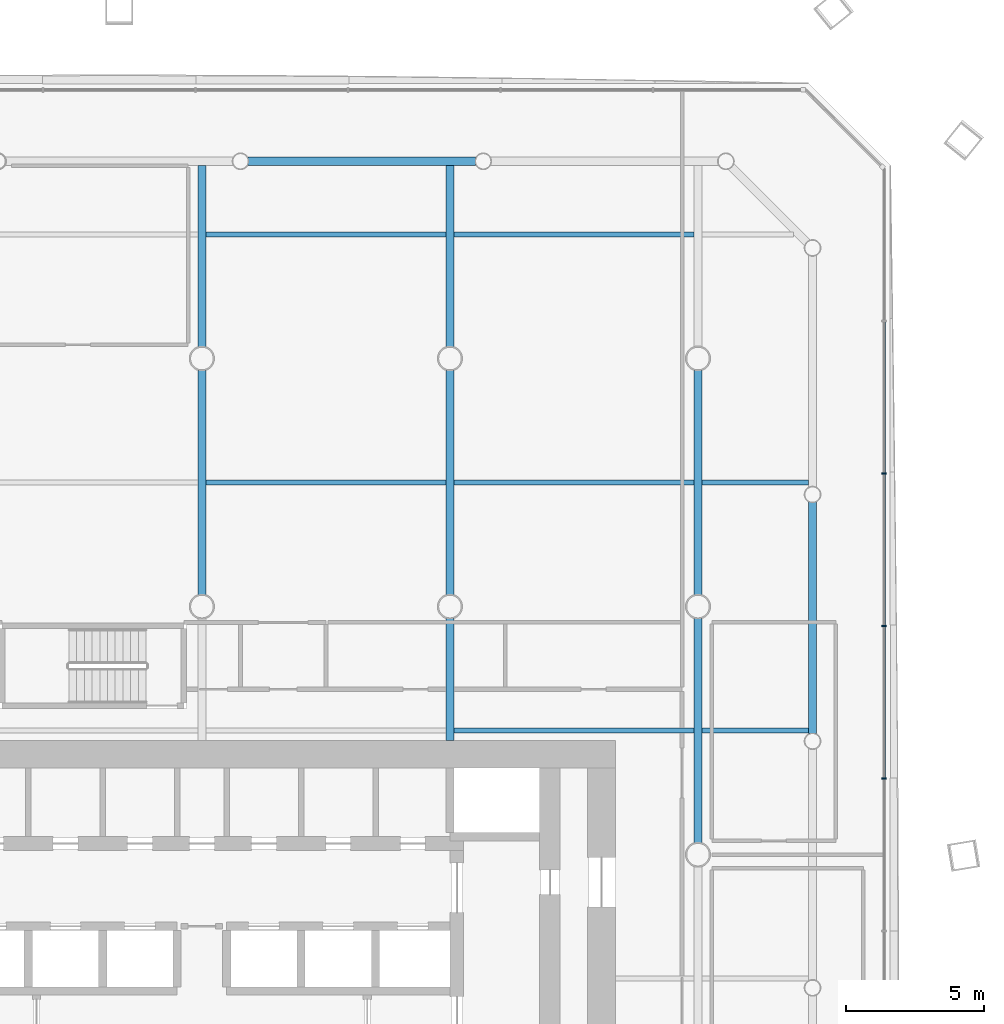
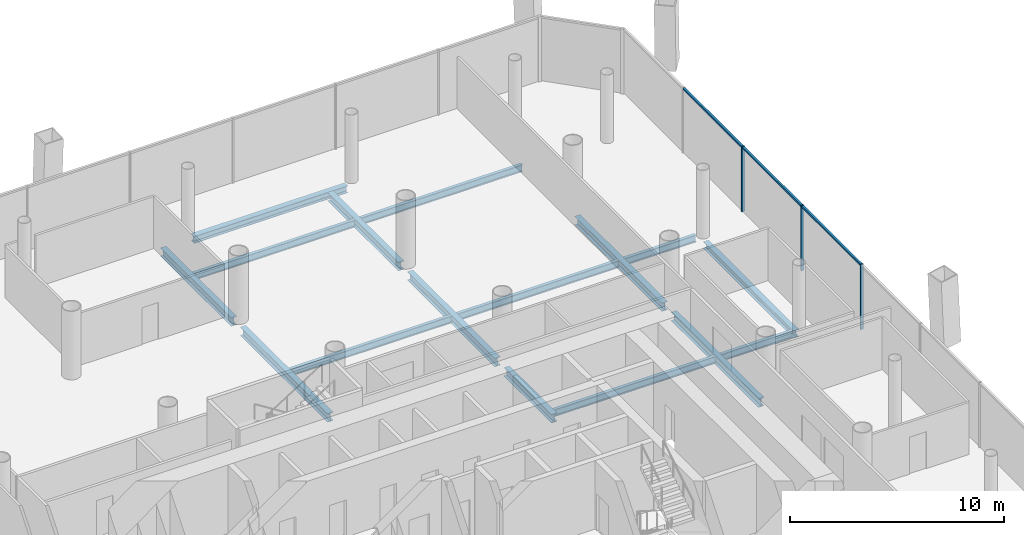
# One storey, part 12 of 23: 16 beams, 6 members, 1 element without a shape of its own.
"""IFC4 building model written with IfcOpenShell, lengths in metres."""

from ifc_helpers import new_model, si_unit, direction, frame, origin, origin_2d, place, context, subcontext, project, spatial, rectangle, i_section, extrude, material, material_profile, profile_set, type_object, element, aggregate, save


model = new_model("IFC4")

# Units and contexts
model_context = context("Model", 3, precision=1e-05, world=origin(), true_north=direction((0.0, 1.0)))
body_context = subcontext(model_context, "Body", "Model", "MODEL_VIEW")
ifc_project = project(units=[si_unit("LENGTHUNIT", "METRE"), si_unit("AREAUNIT", "SQUARE_METRE"), si_unit("VOLUMEUNIT", "CUBIC_METRE"), si_unit("PLANEANGLEUNIT", "RADIAN"), si_unit("MASSUNIT", "GRAM", prefix="KILO")], contexts=[model_context])

# Site, building, storey
site_placement = place(None, origin())
site = spatial("IfcSite", under=ifc_project, at=site_placement, CompositionType="ELEMENT")
building_placement = place(site_placement, origin())
building = spatial("IfcBuilding", under=site, at=building_placement, Name="Tskaro Facet Tower", CompositionType="ELEMENT")
storey_placement = place(building_placement, frame((0.0, 0.0, 14.699951171875)))
storey = spatial("IfcBuildingStorey", under=building, at=storey_placement, Name="L02", CompositionType="ELEMENT", Elevation=14.699951171875)

# Curtain wall, members
ifc_material_1 = material(Name="Bronze anodised aluminium 6063-T6", Category="aluminium")
curtain_wall_type = type_object("IfcCurtainWallType", Name="Bronze office curtain wall (FW1)", PredefinedType="NOTDEFINED", material=ifc_material_1)
curtain_wall_placement = place(storey_placement, origin())
curtain_wall = element("IfcCurtainWall", 1, at=curtain_wall_placement, inside=storey, type_object=curtain_wall_type, Name="FW1 east facet L02", PredefinedType="NOTDEFINED")
ifc_material_profile_1 = material_profile(ifc_material_1, rectangle(XDim=0.06005859375, YDim=0.159912109375, at=origin_2d()), Name="Mullion 60x160")
ifc_profile_set_1 = profile_set([ifc_material_profile_1], Name="Bronze anodised aluminium 6063-T6")
member_type_1 = type_object("IfcMemberType", Name="FW1 bronze mullion 60x160", PredefinedType="MULLION", material=ifc_profile_set_1)
member_1_placement = place(storey_placement, frame((24.75, 2.76611328125, 0.0), z_axis=(0.0, 0.0, 1.0), x_axis=(0.0, 1.0, 0.0)))
member_1 = element("IfcMember", 2, at=member_1_placement, type_object=member_type_1, Name="FW1 east mullion 5", PredefinedType="MULLION", context=body_context, shape_type="SweptSolid", body=[
    extrude(rectangle(XDim=0.06005859375, YDim=0.159912109375, at=origin_2d()), origin(), (0.0, 0.0, 1.0), 3.699951171875),
])
member_2_placement = place(storey_placement, frame((24.75, 8.298583984375, 0.0), z_axis=(0.0, 0.0, 1.0), x_axis=(0.0, 1.0, 0.0)))
member_2 = element("IfcMember", 3, at=member_2_placement, type_object=member_type_1, Name="FW1 east mullion 6", PredefinedType="MULLION", context=body_context, shape_type="SweptSolid", body=[
    extrude(rectangle(XDim=0.06005859375, YDim=0.159912109375, at=origin_2d()), origin(), (0.0, 0.0, 1.0), 3.699951171875),
])
member_3_placement = place(storey_placement, frame((24.75, 13.8310546875, 0.0), z_axis=(0.0, 0.0, 1.0), x_axis=(0.0, 1.0, 0.0)))
member_3 = element("IfcMember", 4, at=member_3_placement, type_object=member_type_1, Name="FW1 east mullion 7", PredefinedType="MULLION", context=body_context, shape_type="SweptSolid", body=[
    extrude(rectangle(XDim=0.06005859375, YDim=0.159912109375, at=origin_2d()), origin(), (0.0, 0.0, 1.0), 3.699951171875),
])
ifc_material_profile_2 = material_profile(ifc_material_1, rectangle(XDim=0.1201171875, YDim=0.10009765625, at=origin_2d()), Name="Transom 120x100")
ifc_profile_set_2 = profile_set([ifc_material_profile_2], Name="Bronze anodised aluminium 6063-T6")
member_type_2 = type_object("IfcMemberType", Name="FW1 bronze transom 120x100", PredefinedType="USERDEFINED", material=ifc_profile_set_2)
member_4_placement = place(storey_placement, frame((24.75, 2.796142578125, 3.650146484375), z_axis=(0.0, 1.0, 0.0), x_axis=(-1.0, 0.0, 0.0)))
member_4 = element("IfcMember", 5, at=member_4_placement, type_object=member_type_2, Name="FW1 east transom 6.1", ObjectType="TRANSOM", PredefinedType="USERDEFINED", context=body_context, shape_type="SweptSolid", body=[
    extrude(rectangle(XDim=0.1201171875, YDim=0.10009765625, at=origin_2d()), origin(), (0.0, 0.0, 1.0), 5.472412109375),
])
member_5_placement = place(storey_placement, frame((24.75, 8.32861328125, 3.650146484375), z_axis=(0.0, 1.0, 0.0), x_axis=(-1.0, 0.0, 0.0)))
member_5 = element("IfcMember", 6, at=member_5_placement, type_object=member_type_2, Name="FW1 east transom 7.1", ObjectType="TRANSOM", PredefinedType="USERDEFINED", context=body_context, shape_type="SweptSolid", body=[
    extrude(rectangle(XDim=0.1201171875, YDim=0.10009765625, at=origin_2d()), origin(), (0.0, 0.0, 1.0), 5.472412109375),
])
member_6_placement = place(storey_placement, frame((24.75, 13.861083984375, 3.650146484375), z_axis=(0.0, 1.0, 0.0), x_axis=(-1.0, 0.0, 0.0)))
member_6 = element("IfcMember", 7, at=member_6_placement, type_object=member_type_2, Name="FW1 east transom 8.1", ObjectType="TRANSOM", PredefinedType="USERDEFINED", context=body_context, shape_type="SweptSolid", body=[
    extrude(rectangle(XDim=0.1201171875, YDim=0.10009765625, at=origin_2d()), origin(), (0.0, 0.0, 1.0), 5.472412109375),
])
aggregate(curtain_wall, [member_1, member_2, member_3, member_4, member_5, member_6])

# Beams
ifc_material_2 = material(Name="Steel S355J2", Category="steel")
ifc_material_profile_3 = material_profile(ifc_material_2, i_section(OverallWidth=0.300048828125, OverallDepth=0.39990234375, WebThickness=0.013427734375, FlangeThickness=0.02392578125, FilletRadius=0.027099609375, at=origin_2d()), Name="HE 400 B")
ifc_profile_set_3 = profile_set([ifc_material_profile_3], Name="Steel S355J2")
beam_type_1 = type_object("IfcBeamType", Name="HE 400 B ring beam", PredefinedType="BEAM", material=ifc_profile_set_3)
beam_1_placement = place(storey_placement, frame((22.156982421875, 4.39111328125, -0.33984375), z_axis=(0.0, 1.0, 0.0), x_axis=(-1.0, 0.0, 0.0)))
element("IfcBeam", 8, at=beam_1_placement, inside=storey, type_object=beam_type_1, Name="HE 400 B EB11-1", PredefinedType="BEAM", context=body_context, shape_type="SweptSolid", body=[
    extrude(i_section(OverallWidth=0.300048828125, OverallDepth=0.39990234375, WebThickness=0.013427734375, FlangeThickness=0.02392578125, FilletRadius=0.027099609375, at=origin_2d()), origin(), (0.0, 0.0, 1.0), 8.39794921875),
])
beam_2_placement = place(storey_placement, frame((9.931884765625, 25.156982421875, -0.33984375), z_axis=(-1.0, 0.0, 0.0), x_axis=(0.0, -1.0, 0.0)))
element("IfcBeam", 9, at=beam_2_placement, inside=storey, type_object=beam_type_1, Name="HE 400 B EB15-1", PredefinedType="BEAM", context=body_context, shape_type="SweptSolid", body=[
    extrude(i_section(OverallWidth=0.300048828125, OverallDepth=0.39990234375, WebThickness=0.013427734375, FlangeThickness=0.02392578125, FilletRadius=0.027099609375, at=origin_2d()), origin(), (0.0, 0.0, 1.0), 8.2548828125),
])
ifc_material_profile_4 = material_profile(ifc_material_2, i_section(OverallWidth=0.300048828125, OverallDepth=0.489990234375, WebThickness=0.011962890625, FlangeThickness=0.02294921875, FilletRadius=0.027099609375, at=origin_2d()), Name="HE 500 A")
ifc_profile_set_4 = profile_set([ifc_material_profile_4], Name="Steel S355J2")
beam_type_2 = type_object("IfcBeamType", Name="HE 500 A girder", PredefinedType="BEAM", material=ifc_profile_set_4)
beam_3_placement = place(storey_placement, frame((0.0, 9.42724609375, -0.385009765625), z_axis=(0.0, 1.0, 0.0), x_axis=(-1.0, 0.0, 0.0)))
element("IfcBeam", 10, at=beam_3_placement, inside=storey, type_object=beam_type_2, Name="HE 500 A GB4-4-1", PredefinedType="BEAM", context=body_context, shape_type="SweptSolid", body=[
    extrude(i_section(OverallWidth=0.300048828125, OverallDepth=0.489990234375, WebThickness=0.011962890625, FlangeThickness=0.02294921875, FilletRadius=0.027099609375, at=origin_2d()), origin(), (0.0, 0.0, 1.0), 8.1455078125),
])
beam_4_placement = place(storey_placement, frame((0.0, 18.42724609375, -0.385009765625), z_axis=(0.0, 1.0, 0.0), x_axis=(-1.0, 0.0, 0.0)))
element("IfcBeam", 11, at=beam_4_placement, inside=storey, type_object=beam_type_2, Name="HE 500 A GB4-5-1", PredefinedType="BEAM", context=body_context, shape_type="SweptSolid", body=[
    extrude(i_section(OverallWidth=0.300048828125, OverallDepth=0.489990234375, WebThickness=0.011962890625, FlangeThickness=0.02294921875, FilletRadius=0.027099609375, at=origin_2d()), origin(), (0.0, 0.0, 1.0), 6.579833984375),
])
beam_5_placement = place(storey_placement, frame((9.0, 4.14990234375, -0.385009765625), z_axis=(0.0, 1.0, 0.0), x_axis=(-1.0, 0.0, 0.0)))
element("IfcBeam", 12, at=beam_5_placement, inside=storey, type_object=beam_type_2, Name="HE 500 A GB5-3-1", PredefinedType="BEAM", context=body_context, shape_type="SweptSolid", body=[
    extrude(i_section(OverallWidth=0.300048828125, OverallDepth=0.489990234375, WebThickness=0.011962890625, FlangeThickness=0.02294921875, FilletRadius=0.027099609375, at=origin_2d()), origin(), (0.0, 0.0, 1.0), 4.4228515625),
])
beam_6_placement = place(storey_placement, frame((9.0, 9.42724609375, -0.385009765625), z_axis=(0.0, 1.0, 0.0), x_axis=(-1.0, 0.0, 0.0)))
element("IfcBeam", 13, at=beam_6_placement, inside=storey, type_object=beam_type_2, Name="HE 500 A GB5-4-1", PredefinedType="BEAM", context=body_context, shape_type="SweptSolid", body=[
    extrude(i_section(OverallWidth=0.300048828125, OverallDepth=0.489990234375, WebThickness=0.011962890625, FlangeThickness=0.02294921875, FilletRadius=0.027099609375, at=origin_2d()), origin(), (0.0, 0.0, 1.0), 8.1455078125),
])
beam_7_placement = place(storey_placement, frame((9.0, 18.42724609375, -0.385009765625), z_axis=(0.0, 1.0, 0.0), x_axis=(-1.0, 0.0, 0.0)))
element("IfcBeam", 14, at=beam_7_placement, inside=storey, type_object=beam_type_2, Name="HE 500 A GB5-5-1", PredefinedType="BEAM", context=body_context, shape_type="SweptSolid", body=[
    extrude(i_section(OverallWidth=0.300048828125, OverallDepth=0.489990234375, WebThickness=0.011962890625, FlangeThickness=0.02294921875, FilletRadius=0.027099609375, at=origin_2d()), origin(), (0.0, 0.0, 1.0), 6.579833984375),
])
for number, where, z_axis, x_axis, name in (
    (15, (18.0, 0.42724609375, -0.385009765625), (0.0, 1.0, 0.0), (-1.0, 0.0, 0.0), "HE 500 A GB6-4-1"),
    (16, (18.0, 9.42724609375, -0.385009765625), (0.0, 1.0, 0.0), (-1.0, 0.0, 0.0), "HE 500 A GB6-5-1"),
):
    element("IfcBeam", number, at=place(storey_placement, frame(where, z_axis=z_axis, x_axis=x_axis)), inside=storey, type_object=beam_type_2, Name=name, PredefinedType="BEAM", context=body_context, shape_type="SweptSolid", body=[
        extrude(i_section(OverallWidth=0.300048828125, OverallDepth=0.489990234375, WebThickness=0.011962890625, FlangeThickness=0.02294921875, FilletRadius=0.027099609375, at=origin_2d()), origin(), (0.0, 0.0, 1.0), 8.1455078125),
    ])
ifc_material_profile_5 = material_profile(ifc_material_2, i_section(OverallWidth=0.179931640625, OverallDepth=0.39990234375, WebThickness=0.008544921875, FlangeThickness=0.013427734375, FilletRadius=0.02099609375, at=origin_2d()), Name="IPE 400")
ifc_profile_set_5 = profile_set([ifc_material_profile_5], Name="Steel S355J2")
beam_type_3 = type_object("IfcBeamType", Name="IPE 400 secondary beam", PredefinedType="BEAM", material=ifc_profile_set_5)
beam_8_placement = place(storey_placement, frame((9.14990234375, 4.5, -0.33984375), z_axis=(1.0, 0.0, 0.0), x_axis=(0.0, 1.0, 0.0)))
element("IfcBeam", 17, at=beam_8_placement, inside=storey, type_object=beam_type_3, Name="IPE 400 SB4a-5-1", PredefinedType="BEAM", context=body_context, shape_type="SweptSolid", body=[
    extrude(i_section(OverallWidth=0.179931640625, OverallDepth=0.39990234375, WebThickness=0.008544921875, FlangeThickness=0.013427734375, FilletRadius=0.02099609375, at=origin_2d()), origin(), (0.0, 0.0, 1.0), 8.7001953125),
])
beam_9_placement = place(storey_placement, frame((18.14990234375, 4.5, -0.33984375), z_axis=(1.0, 0.0, 0.0), x_axis=(0.0, 1.0, 0.0)))
element("IfcBeam", 18, at=beam_9_placement, inside=storey, type_object=beam_type_3, Name="IPE 400 SB4a-6-1", PredefinedType="BEAM", context=body_context, shape_type="SweptSolid", body=[
    extrude(i_section(OverallWidth=0.179931640625, OverallDepth=0.39990234375, WebThickness=0.008544921875, FlangeThickness=0.013427734375, FilletRadius=0.02099609375, at=origin_2d()), origin(), (0.0, 0.0, 1.0), 3.857177734375),
])
for number, where, z_axis, x_axis, name in (
    (19, (0.14990234375, 13.5, -0.33984375), (1.0, 0.0, 0.0), (0.0, 1.0, 0.0), "IPE 400 SB5a-4-1"),
    (20, (9.14990234375, 13.5, -0.33984375), (1.0, 0.0, 0.0), (0.0, 1.0, 0.0), "IPE 400 SB5a-5-1"),
):
    element("IfcBeam", number, at=place(storey_placement, frame(where, z_axis=z_axis, x_axis=x_axis)), inside=storey, type_object=beam_type_3, Name=name, PredefinedType="BEAM", context=body_context, shape_type="SweptSolid", body=[
        extrude(i_section(OverallWidth=0.179931640625, OverallDepth=0.39990234375, WebThickness=0.008544921875, FlangeThickness=0.013427734375, FilletRadius=0.02099609375, at=origin_2d()), origin(), (0.0, 0.0, 1.0), 8.7001953125),
    ])
beam_10_placement = place(storey_placement, frame((18.14990234375, 13.5, -0.33984375), z_axis=(1.0, 0.0, 0.0), x_axis=(0.0, 1.0, 0.0)))
element("IfcBeam", 21, at=beam_10_placement, inside=storey, type_object=beam_type_3, Name="IPE 400 SB5a-6-1", PredefinedType="BEAM", context=body_context, shape_type="SweptSolid", body=[
    extrude(i_section(OverallWidth=0.179931640625, OverallDepth=0.39990234375, WebThickness=0.008544921875, FlangeThickness=0.013427734375, FilletRadius=0.02099609375, at=origin_2d()), origin(), (0.0, 0.0, 1.0), 3.857177734375),
])
for number, where, z_axis, x_axis, name in (
    (22, (0.14990234375, 22.5, -0.33984375), (1.0, 0.0, 0.0), (0.0, 1.0, 0.0), "IPE 400 SB6a-4-1"),
    (23, (9.14990234375, 22.5, -0.33984375), (1.0, 0.0, 0.0), (0.0, 1.0, 0.0), "IPE 400 SB6a-5-1"),
):
    element("IfcBeam", number, at=place(storey_placement, frame(where, z_axis=z_axis, x_axis=x_axis)), inside=storey, type_object=beam_type_3, Name=name, PredefinedType="BEAM", context=body_context, shape_type="SweptSolid", body=[
        extrude(i_section(OverallWidth=0.179931640625, OverallDepth=0.39990234375, WebThickness=0.008544921875, FlangeThickness=0.013427734375, FilletRadius=0.02099609375, at=origin_2d()), origin(), (0.0, 0.0, 1.0), 8.7001953125),
    ])

save(model, "model.ifc")
